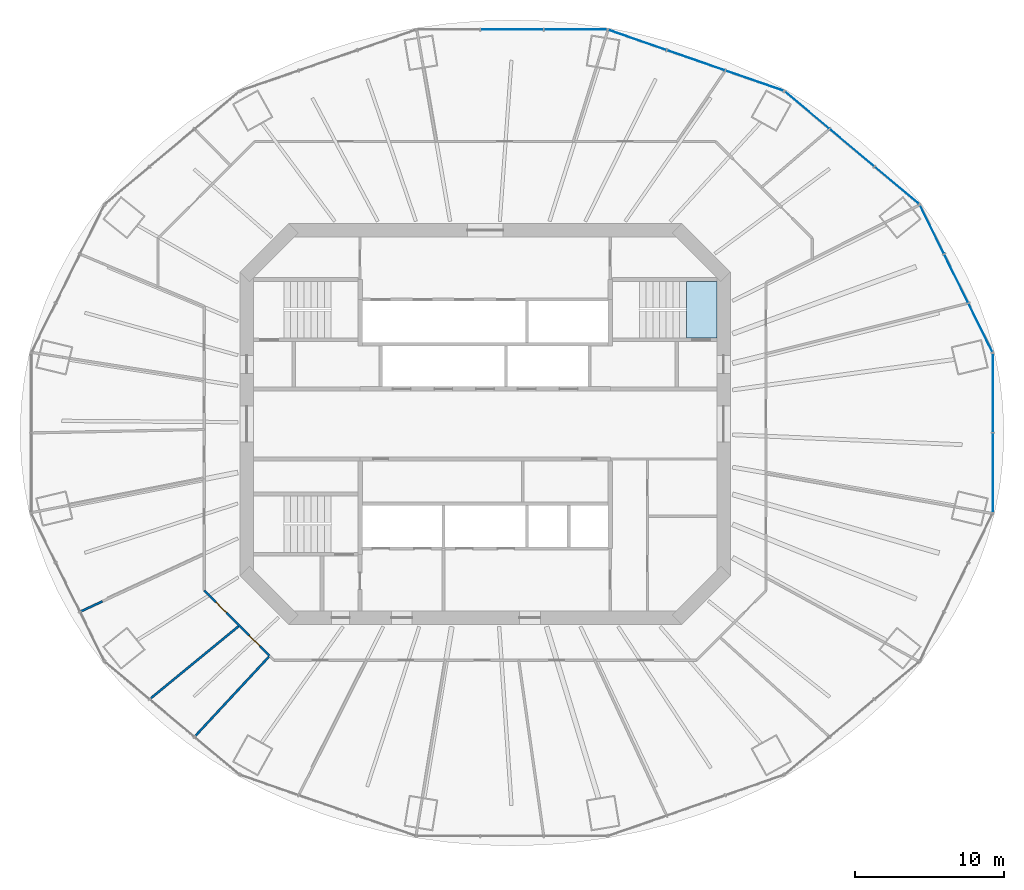
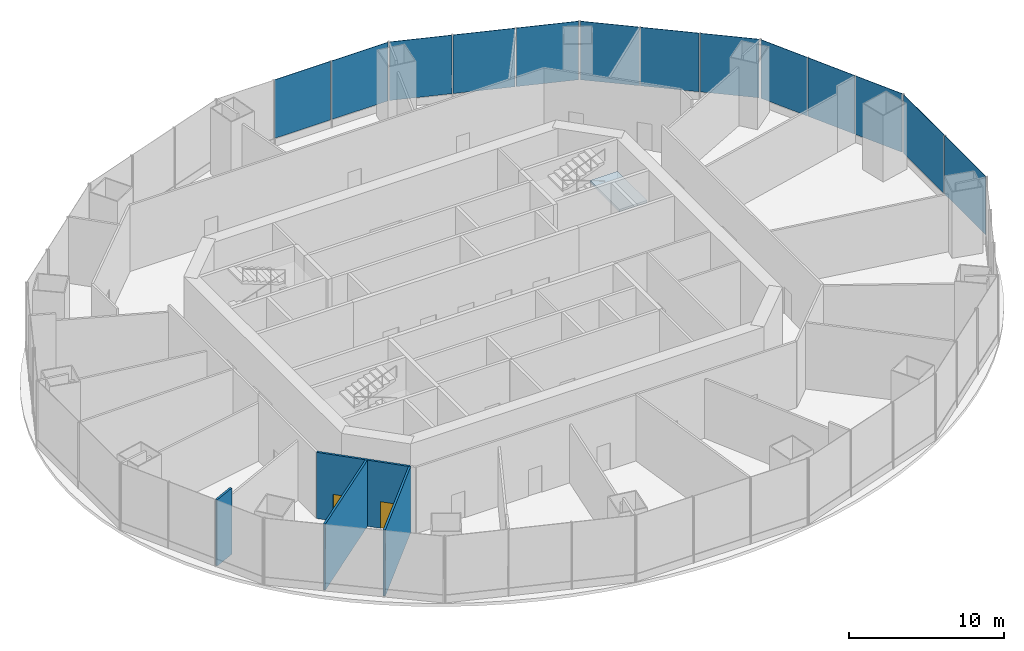
# One storey, part 10 of 15: 13 plates, 4 walls, 2 doors, 1 slab, 2 openings, 6 elements without a shape of their own.
"""IFC4 building model written with IfcOpenShell, lengths in metres."""

from ifc_helpers import new_model, si_unit, direction, frame, frame_2d, origin, origin_2d, place, context, subcontext, project, spatial, polyline, rectangle, outline, extrude, material, layer, layer_set, type_object, element, fill, aggregate, save


model = new_model("IFC4")

# Units and contexts
model_context = context("Model", 3, precision=1e-05, world=origin(), true_north=direction((0.0, 1.0)))
body_context = subcontext(model_context, "Body", "Model", "MODEL_VIEW")
ifc_project = project(units=[si_unit("LENGTHUNIT", "METRE"), si_unit("AREAUNIT", "SQUARE_METRE"), si_unit("VOLUMEUNIT", "CUBIC_METRE"), si_unit("PLANEANGLEUNIT", "RADIAN"), si_unit("MASSUNIT", "GRAM", prefix="KILO")], contexts=[model_context])

# Site, building, storey
site_placement = place(None, origin())
site = spatial("IfcSite", under=ifc_project, at=site_placement, CompositionType="ELEMENT")
building_placement = place(site_placement, origin())
building = spatial("IfcBuilding", under=site, at=building_placement, Name="Marenthal Gate Tower", CompositionType="ELEMENT")
storey_placement = place(building_placement, frame((0.0, 0.0, 155.64990234375)))
storey = spatial("IfcBuildingStorey", under=building, at=storey_placement, Name="L33", CompositionType="ELEMENT", Elevation=155.64990234375)

# Curtain wall, plates
ifc_material_1 = material(Name="Aluminium and glass", Category="aluminium")
curtain_wall_type = type_object("IfcCurtainWallType", Name="Curtain wall sky lobby", PredefinedType="NOTDEFINED", material=ifc_material_1)
curtain_wall_1_placement = place(storey_placement, origin())
curtain_wall_1 = element("IfcCurtainWall", 1, at=curtain_wall_1_placement, inside=storey, type_object=curtain_wall_type, Name="Curtain wall L33 bay 1", PredefinedType="NOTDEFINED")
ifc_material_2 = material(Name="Glass, laminated insulating unit", Category="glass")
ifc_layer_1 = layer(ifc_material_2, 0.033935546875)
ifc_layer_set_1 = layer_set([ifc_layer_1], Name="Glass panel 34 sky lobby")
plate_type = type_object("IfcPlateType", Name="Glass panel 34 sky lobby", PredefinedType="CURTAIN_PANEL", material=ifc_layer_set_1)
plate_1_placement = place(storey_placement, frame((33.2392578125, 6.45849609375, 0.60009765625), z_axis=(0.0, 0.0, 1.0), x_axis=(-0.442823615536, 0.896608747182, 0.0)))
plate_1 = element("IfcPlate", 2, at=plate_1_placement, type_object=plate_type, Name="Glass panel L33 bay 1.1", PredefinedType="CURTAIN_PANEL", context=body_context, shape_type="SweptSolid", body=[
    extrude(rectangle(XDim=3.60791015625, YDim=0.033935546875, at=origin_2d()), origin(), (0.0, 0.0, 1.0), 4.6201171875),
])
plate_2_placement = place(storey_placement, frame((31.610595703125, 9.756103515625, 0.60009765625), z_axis=(0.0, 0.0, 1.0), x_axis=(-0.442823615536, 0.896608747182, 0.0)))
plate_2 = element("IfcPlate", 3, at=plate_2_placement, type_object=plate_type, Name="Glass panel L33 bay 1.2", PredefinedType="CURTAIN_PANEL", context=body_context, shape_type="SweptSolid", body=[
    extrude(rectangle(XDim=3.60791015625, YDim=0.033935546875, at=origin_2d()), origin(), (0.0, 0.0, 1.0), 4.6201171875),
])
plate_3_placement = place(storey_placement, frame((29.982177734375, 13.0537109375, 0.60009765625), z_axis=(0.0, 0.0, 1.0), x_axis=(-0.442823615536, 0.896608747182, 0.0)))
plate_3 = element("IfcPlate", 4, at=plate_3_placement, type_object=plate_type, Name="Glass panel L33 bay 1.3", PredefinedType="CURTAIN_PANEL", context=body_context, shape_type="SweptSolid", body=[
    extrude(rectangle(XDim=3.60791015625, YDim=0.033935546875, at=origin_2d()), origin(), (0.0, 0.0, 1.0), 4.6201171875),
])
aggregate(curtain_wall_1, [plate_1, plate_2, plate_3])

curtain_wall_2_placement = place(storey_placement, origin())
curtain_wall_2 = element("IfcCurtainWall", 5, at=curtain_wall_2_placement, inside=storey, type_object=curtain_wall_type, Name="Curtain wall L33 bay 2", PredefinedType="NOTDEFINED")
plate_4_placement = place(storey_placement, frame((27.62646484375, 16.010986328125, 0.60009765625), z_axis=(0.0, 0.0, 1.0), x_axis=(-0.766199855443, 0.642602351007, 0.0)))
plate_4 = element("IfcPlate", 6, at=plate_4_placement, type_object=plate_type, Name="Glass panel L33 bay 2.1", PredefinedType="CURTAIN_PANEL", context=body_context, shape_type="SweptSolid", body=[
    extrude(rectangle(XDim=3.85888671875, YDim=0.033935546875, at=origin_2d()), origin(), (0.0, 0.0, 1.0), 4.6201171875),
])
plate_5_placement = place(storey_placement, frame((24.6162109375, 18.53564453125, 0.60009765625), z_axis=(0.0, 0.0, 1.0), x_axis=(-0.766199855443, 0.642602351007, 0.0)))
plate_5 = element("IfcPlate", 7, at=plate_5_placement, type_object=plate_type, Name="Glass panel L33 bay 2.2", PredefinedType="CURTAIN_PANEL", context=body_context, shape_type="SweptSolid", body=[
    extrude(rectangle(XDim=3.85888671875, YDim=0.033935546875, at=origin_2d()), origin(), (0.0, 0.0, 1.0), 4.6201171875),
])
plate_6_placement = place(storey_placement, frame((21.605712890625, 21.060302734375, 0.60009765625), z_axis=(0.0, 0.0, 1.0), x_axis=(-0.766199855443, 0.642602351007, 0.0)))
plate_6 = element("IfcPlate", 8, at=plate_6_placement, type_object=plate_type, Name="Glass panel L33 bay 2.3", PredefinedType="CURTAIN_PANEL", context=body_context, shape_type="SweptSolid", body=[
    extrude(rectangle(XDim=3.85888671875, YDim=0.033935546875, at=origin_2d()), origin(), (0.0, 0.0, 1.0), 4.6201171875),
])
aggregate(curtain_wall_2, [plate_4, plate_5, plate_6])

curtain_wall_3_placement = place(storey_placement, origin())
curtain_wall_3 = element("IfcCurtainWall", 9, at=curtain_wall_3_placement, inside=storey, type_object=curtain_wall_type, Name="Curtain wall L33 bay 3", PredefinedType="NOTDEFINED")
plate_7_placement = place(storey_placement, frame((18.082275390625, 23.03515625, 0.60009765625), z_axis=(0.0, 0.0, 1.0), x_axis=(-0.944622987868, 0.328157600538, 0.0)))
plate_7 = element("IfcPlate", 10, at=plate_7_placement, type_object=plate_type, Name="Glass panel L33 bay 3.1", PredefinedType="CURTAIN_PANEL", context=body_context, shape_type="SweptSolid", body=[
    extrude(rectangle(XDim=4.094970703125, YDim=0.033935546875, at=origin_2d()), origin(), (0.0, 0.0, 1.0), 4.6201171875),
])
plate_8_placement = place(storey_placement, frame((14.14794921875, 24.40185546875, 0.60009765625), z_axis=(0.0, 0.0, 1.0), x_axis=(-0.944622987868, 0.328157600538, 0.0)))
plate_8 = element("IfcPlate", 11, at=plate_8_placement, type_object=plate_type, Name="Glass panel L33 bay 3.2", PredefinedType="CURTAIN_PANEL", context=body_context, shape_type="SweptSolid", body=[
    extrude(rectangle(XDim=4.094970703125, YDim=0.033935546875, at=origin_2d()), origin(), (0.0, 0.0, 1.0), 4.6201171875),
])
plate_9_placement = place(storey_placement, frame((10.2138671875, 25.7685546875, 0.60009765625), z_axis=(0.0, 0.0, 1.0), x_axis=(-0.944622987868, 0.328157600538, 0.0)))
plate_9 = element("IfcPlate", 12, at=plate_9_placement, type_object=plate_type, Name="Glass panel L33 bay 3.3", PredefinedType="CURTAIN_PANEL", context=body_context, shape_type="SweptSolid", body=[
    extrude(rectangle(XDim=4.0947265625, YDim=0.033935546875, at=origin_2d()), origin(), (0.0, 0.0, 1.0), 4.6201171875),
])
aggregate(curtain_wall_3, [plate_7, plate_8, plate_9])

curtain_wall_4_placement = place(storey_placement, origin())
curtain_wall_4 = element("IfcCurtainWall", 13, at=curtain_wall_4_placement, inside=storey, type_object=curtain_wall_type, Name="Curtain wall L33 bay 4", PredefinedType="NOTDEFINED")
plate_10_placement = place(storey_placement, frame((6.058837890625, 26.4619140625, 0.60009765625), z_axis=(0.0, 0.0, 1.0), x_axis=(-1.0, 0.0, 0.0)))
plate_10 = element("IfcPlate", 14, at=plate_10_placement, type_object=plate_type, Name="Glass panel L33 bay 4.1", PredefinedType="CURTAIN_PANEL", context=body_context, shape_type="SweptSolid", body=[
    extrude(rectangle(XDim=4.18896484375, YDim=0.033935546875, at=origin_2d()), origin(), (0.0, 0.0, 1.0), 4.6201171875),
])
plate_11_placement = place(storey_placement, frame((1.800048828125, 26.4619140625, 0.60009765625), z_axis=(0.0, 0.0, 1.0), x_axis=(-1.0, 0.0, 0.0)))
plate_11 = element("IfcPlate", 15, at=plate_11_placement, type_object=plate_type, Name="Glass panel L33 bay 4.2", PredefinedType="CURTAIN_PANEL", context=body_context, shape_type="SweptSolid", body=[
    extrude(rectangle(XDim=4.188720703125, YDim=0.033935546875, at=origin_2d()), origin(), (0.0, 0.0, 1.0), 4.6201171875),
])
aggregate(curtain_wall_4, [plate_10, plate_11])

curtain_wall_5_placement = place(storey_placement, origin())
curtain_wall_5 = element("IfcCurtainWall", 16, at=curtain_wall_5_placement, inside=storey, type_object=curtain_wall_type, Name="Curtain wall L33 bay 16", PredefinedType="NOTDEFINED")
plate_12_placement = place(storey_placement, frame((34.06689453125, -3.2763671875, 0.60009765625), z_axis=(0.0, 0.0, 1.0), x_axis=(0.0, 1.0, 0.0)))
plate_12 = element("IfcPlate", 17, at=plate_12_placement, type_object=plate_type, Name="Glass panel L33 bay 16.1", PredefinedType="CURTAIN_PANEL", context=body_context, shape_type="SweptSolid", body=[
    extrude(rectangle(XDim=5.282958984375, YDim=0.033935546875, at=origin_2d()), origin(), (0.0, 0.0, 1.0), 4.6201171875),
])
plate_13_placement = place(storey_placement, frame((34.06689453125, 2.076416015625, 0.60009765625), z_axis=(0.0, 0.0, 1.0), x_axis=(0.0, 1.0, 0.0)))
plate_13 = element("IfcPlate", 18, at=plate_13_placement, type_object=plate_type, Name="Glass panel L33 bay 16.2", PredefinedType="CURTAIN_PANEL", context=body_context, shape_type="SweptSolid", body=[
    extrude(rectangle(XDim=5.282958984375, YDim=0.033935546875, at=origin_2d()), origin(), (0.0, 0.0, 1.0), 4.6201171875),
])
aggregate(curtain_wall_5, [plate_12, plate_13])

# Stair, slab
ifc_material_3 = material(Name="Concrete 40 MPa", Category="concrete")
stair_type = type_object("IfcStairType", Name="Exit stair 1800", PredefinedType="HALF_TURN_STAIR", material=ifc_material_3)
stair_placement = place(storey_placement, origin())
stair = element("IfcStair", 19, at=stair_placement, inside=storey, type_object=stair_type, Name="Stair ST3", PredefinedType="HALF_TURN_STAIR")
ifc_material_4 = material(Name="Concrete 40 MPa", Category="concrete")
ifc_layer_2 = layer(ifc_material_4, 0.199951171875)
ifc_layer_set_2 = layer_set([ifc_layer_2], Name="Stair landing 200")
slab_type = type_object("IfcSlabType", Name="Stair landing 200", PredefinedType="LANDING", material=ifc_layer_set_2)
slab_placement = place(storey_placement, frame((0.0, 0.0, 2.5)))
slab = element("IfcSlab", 20, at=slab_placement, type_object=slab_type, Name="ST3 landing 2", PredefinedType="LANDING", context=body_context, shape_type="SweptSolid", body=[
    extrude(outline(polyline([(13.5, 5.77490234375), (15.550048828125, 5.77490234375), (15.550048828125, 9.574951171875), (13.5, 9.574951171875), (13.5, 5.77490234375)])), origin(), (0.0, 0.0, 1.0), 0.2001953125),
])
aggregate(stair, [slab])

# Walls
ifc_material_5 = material(Name="Gypsum board on steel studs", Category="steel")
ifc_layer_3 = layer(ifc_material_5, 0.14990234375)
ifc_layer_set_3 = layer_set([ifc_layer_3], Name="Wet room partition 150")
wall_type = type_object("IfcWallType", Name="Wet room partition 150", PredefinedType="PARTITIONING", material=ifc_layer_set_3)
wall_1_placement = place(storey_placement, frame((-27.17822265625, -12.596435546875, 0.0), z_axis=(0.0, 0.0, 1.0), x_axis=(0.907321696226, 0.420437081568, 0.0)))
element("IfcWall", 21, at=wall_1_placement, inside=storey, type_object=wall_type, Name="Wet wall 78", PredefinedType="PARTITIONING", context=body_context, shape_type="SweptSolid", body=[
    extrude(rectangle(XDim=1.638671875, YDim=0.14990234375, at=frame_2d((0.8193359375, 0.0))), origin(), (0.0, 0.0, 1.0), 5.22021484375),
])
wall_2_placement = place(storey_placement, frame((-22.505615234375, -18.460205078125, 0.0), z_axis=(0.0, 0.0, 1.0), x_axis=(0.773199383517, 0.634163002175, 0.0)))
element("IfcWall", 22, at=wall_2_placement, inside=storey, type_object=wall_type, Name="Wet wall 79", PredefinedType="PARTITIONING", context=body_context, shape_type="SweptSolid", body=[
    extrude(rectangle(XDim=7.77001953125, YDim=0.14990234375, at=frame_2d((3.885009765625, 0.0))), origin(), (0.0, 0.0, 1.0), 5.22021484375),
])
wall_3_placement = place(storey_placement, frame((-19.497314453125, -20.9833984375, 0.0), z_axis=(0.0, 0.0, 1.0), x_axis=(0.680679019614, 0.732581785371, 0.0)))
element("IfcWall", 23, at=wall_3_placement, inside=storey, type_object=wall_type, Name="Wet wall 80", PredefinedType="PARTITIONING", context=body_context, shape_type="SweptSolid", body=[
    extrude(rectangle(XDim=7.394287109375, YDim=0.14990234375, at=frame_2d((3.697265625, 0.0))), origin(), (0.0, 0.0, 1.0), 5.22021484375),
])

# Wall, openings, doors
wall_4_placement = place(storey_placement, frame((-14.46044921875, -15.570068359375, 0.0), z_axis=(0.0, 0.0, 1.0), x_axis=(-0.707106781187, 0.707106781187, 0.0)))
wall_4 = element("IfcWall", 24, at=wall_4_placement, inside=storey, type_object=wall_type, Name="Wet wall 82", PredefinedType="PARTITIONING", context=body_context, shape_type="SweptSolid", body=[
    extrude(rectangle(XDim=6.2080078125, YDim=0.14990234375, at=frame_2d((3.10400390625, 0.0))), origin(), (0.0, 0.0, 1.0), 5.22021484375),
])
opening_1_placement = place(wall_4_placement, frame((4.109619140625, 0.0, 0.0)))
opening_1 = element("IfcOpeningElement", 25, at=opening_1_placement, cuts=wall_4, Name="Opening D012.13", PredefinedType="OPENING", context=body_context, shape_type="SweptSolid", body=[
    extrude(rectangle(XDim=1.0, YDim=2.10009765625, at=frame_2d((0.5, 1.050048828125))), frame((0.0, 0.0849609375, 0.0), z_axis=(0.0, -1.0, 0.0), x_axis=(1.0, 0.0, 0.0)), (0.0, 0.0, 1.0), 0.169921875),
])
opening_2_placement = place(wall_4_placement, frame((0.943115234375, 0.0, 0.0)))
opening_2 = element("IfcOpeningElement", 26, at=opening_2_placement, cuts=wall_4, Name="Opening D012.14", PredefinedType="OPENING", context=body_context, shape_type="SweptSolid", body=[
    extrude(rectangle(XDim=1.0, YDim=2.10009765625, at=frame_2d((0.5, 1.050048828125))), frame((0.0, 0.0849609375, 0.0), z_axis=(0.0, -1.0, 0.0), x_axis=(1.0, 0.0, 0.0)), (0.0, 0.0, 1.0), 0.169921875),
])
ifc_material_6 = material(Name="Timber door", Category="wood")
door_type = type_object("IfcDoorType", Name="Door 1000 x 2100", OperationType="NOTDEFINED", PredefinedType="DOOR", material=ifc_material_6)
door_1_placement = place(opening_1_placement, origin())
door_1 = element("IfcDoor", 27, at=door_1_placement, inside=storey, type_object=door_type, Name="Door D012.13", OperationType="SINGLE_SWING_RIGHT", OverallHeight=2.10009765625, OverallWidth=1.0, PredefinedType="DOOR", context=body_context, shape_type="SweptSolid", body=[
    extrude(rectangle(XDim=1.0, YDim=2.10009765625, at=frame_2d((0.5, 1.050048828125))), frame((0.0, 0.02490234375, 0.0), z_axis=(0.0, -1.0, 0.0), x_axis=(1.0, 0.0, 0.0)), (0.0, 0.0, 1.0), 0.050048828125),
])
fill(opening_1, door_1)
door_2_placement = place(opening_2_placement, origin())
door_2 = element("IfcDoor", 28, at=door_2_placement, inside=storey, type_object=door_type, Name="Door D012.14", OperationType="SINGLE_SWING_RIGHT", OverallHeight=2.10009765625, OverallWidth=1.0, PredefinedType="DOOR", context=body_context, shape_type="SweptSolid", body=[
    extrude(rectangle(XDim=1.0, YDim=2.10009765625, at=frame_2d((0.5, 1.050048828125))), frame((0.0, 0.02490234375, 0.0), z_axis=(0.0, -1.0, 0.0), x_axis=(1.0, 0.0, 0.0)), (0.0, 0.0, 1.0), 0.050048828125),
])
fill(opening_2, door_2)

save(model, "model.ifc")
